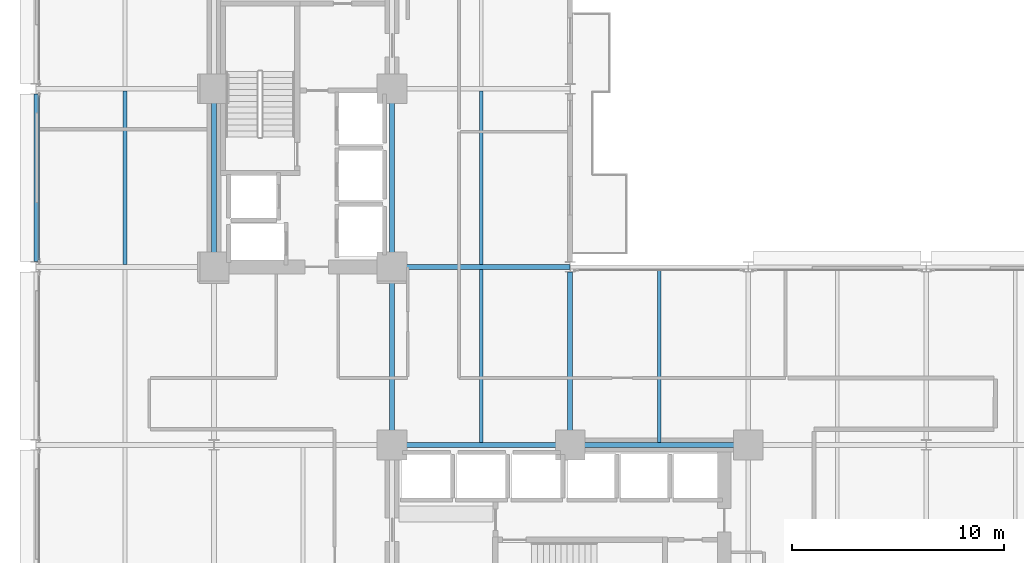
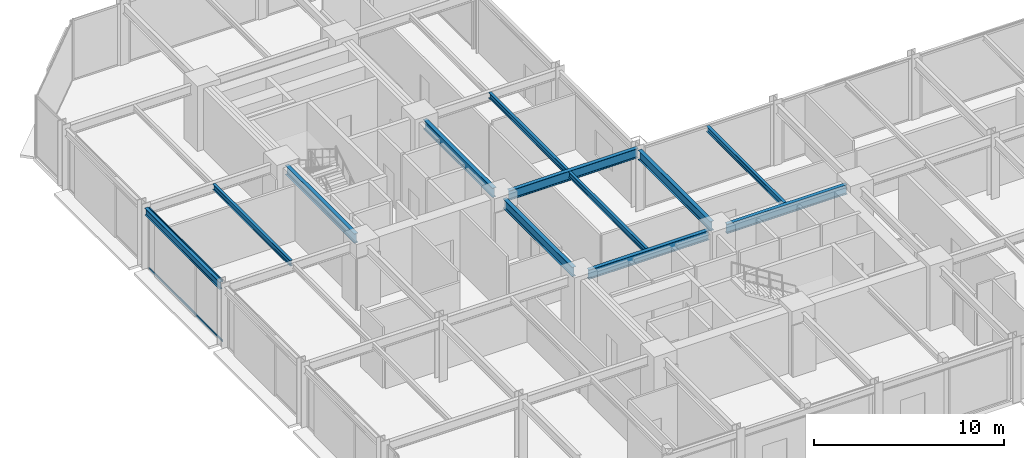
# One storey, part 7 of 25: 12 beams, 2 members, 1 element without a shape of its own.
"""IFC4 building model written with IfcOpenShell, lengths in metres."""

from ifc_helpers import new_model, si_unit, direction, frame, origin, origin_2d, place, context, subcontext, project, spatial, hollow_rectangle, i_section, extrude, material, layer, layer_set, material_profile, profile_set, type_object, element, aggregate, save


model = new_model("IFC4")

# Units and contexts
model_context = context("Model", 3, precision=1e-05, world=origin(), true_north=direction((0.0, 1.0)))
body_context = subcontext(model_context, "Body", "Model", "MODEL_VIEW")
ifc_project = project(units=[si_unit("LENGTHUNIT", "METRE"), si_unit("AREAUNIT", "SQUARE_METRE"), si_unit("VOLUMEUNIT", "CUBIC_METRE"), si_unit("PLANEANGLEUNIT", "RADIAN"), si_unit("MASSUNIT", "GRAM", prefix="KILO")], contexts=[model_context])

# Site, building, storey
site_placement = place(None, origin())
site = spatial("IfcSite", under=ifc_project, at=site_placement, CompositionType="ELEMENT")
building_placement = place(site_placement, origin())
building = spatial("IfcBuilding", under=site, at=building_placement, Name="Nerrivon Quay Data Exchange", CompositionType="ELEMENT")
storey_placement = place(building_placement, frame((0.0, 0.0, 24.800048828125)))
storey = spatial("IfcBuildingStorey", under=building, at=storey_placement, Name="L05", CompositionType="ELEMENT", Elevation=24.800048828125)

# Beams
ifc_material_1 = material(Name="Steel Grade 350", Category="steel")
ifc_material_profile_1 = material_profile(ifc_material_1, i_section(OverallWidth=0.22900390625, OverallDepth=0.612060546875, WebThickness=0.011962890625, FlangeThickness=0.01953125, FilletRadius=0.013916015625, at=origin_2d()), Name="610UB125")
ifc_profile_set_1 = profile_set([ifc_material_profile_1], Name="Steel Grade 350")
beam_type_1 = type_object("IfcBeamType", Name="BM-G1-610UB125", PredefinedType="BEAM", material=ifc_profile_set_1)
beam_1_placement = place(storey_placement, frame((17.340087890625, 16.800048828125, 3.618896484375), z_axis=(1.0, 0.0, 0.0), x_axis=(0.0, 1.0, 0.0)))
element("IfcBeam", 1, at=beam_1_placement, inside=storey, type_object=beam_type_1, Name="L05 EW Girder Y=16.8 (16.8..25.2)", PredefinedType="BEAM", context=body_context, shape_type="SweptSolid", body=[
    extrude(i_section(OverallWidth=0.22900390625, OverallDepth=0.612060546875, WebThickness=0.011962890625, FlangeThickness=0.01953125, FilletRadius=0.013916015625, at=origin_2d()), origin(), (0.0, 0.0, 1.0), 7.31982421875),
])
beam_2_placement = place(storey_placement, frame((25.739990234375, 16.800048828125, 3.618896484375), z_axis=(1.0, 0.0, 0.0), x_axis=(0.0, 1.0, 0.0)))
element("IfcBeam", 2, at=beam_2_placement, inside=storey, type_object=beam_type_1, Name="L05 EW Girder Y=16.8 (25.2..33.6)", PredefinedType="BEAM", context=body_context, shape_type="SweptSolid", body=[
    extrude(i_section(OverallWidth=0.22900390625, OverallDepth=0.612060546875, WebThickness=0.011962890625, FlangeThickness=0.01953125, FilletRadius=0.013916015625, at=origin_2d()), origin(), (0.0, 0.0, 1.0), 7.320068359375),
])
beam_3_placement = place(storey_placement, frame((17.340087890625, 25.199951171875, 3.618896484375), z_axis=(1.0, 0.0, 0.0), x_axis=(0.0, 1.0, 0.0)))
element("IfcBeam", 3, at=beam_3_placement, inside=storey, type_object=beam_type_1, Name="L05 EW Girder Y=25.2 (16.8..25.2)", PredefinedType="BEAM", context=body_context, shape_type="SweptSolid", body=[
    extrude(i_section(OverallWidth=0.22900390625, OverallDepth=0.612060546875, WebThickness=0.011962890625, FlangeThickness=0.01953125, FilletRadius=0.013916015625, at=origin_2d()), origin(), (0.0, 0.0, 1.0), 7.845947265625),
])
ifc_material_profile_2 = material_profile(ifc_material_1, i_section(OverallWidth=0.22802734375, OverallDepth=0.60205078125, WebThickness=0.010498046875, FlangeThickness=0.014892578125, FilletRadius=0.013916015625, at=origin_2d()), Name="610UB101")
ifc_profile_set_2 = profile_set([ifc_material_profile_2], Name="Steel Grade 350")
beam_type_2 = type_object("IfcBeamType", Name="BM-G2-610UB101", PredefinedType="BEAM", material=ifc_profile_set_2)
beam_4_placement = place(storey_placement, frame((8.39990234375, 25.739990234375, 3.6240234375), z_axis=(0.0, 1.0, 0.0), x_axis=(-1.0, 0.0, 0.0)))
element("IfcBeam", 4, at=beam_4_placement, inside=storey, type_object=beam_type_2, Name="L05 NS Girder X=8.4 (25.2..33.6)", PredefinedType="BEAM", context=body_context, shape_type="SweptSolid", body=[
    extrude(i_section(OverallWidth=0.22802734375, OverallDepth=0.60205078125, WebThickness=0.010498046875, FlangeThickness=0.014892578125, FilletRadius=0.013916015625, at=origin_2d()), origin(), (0.0, 0.0, 1.0), 7.320068359375),
])
beam_5_placement = place(storey_placement, frame((16.800048828125, 17.340087890625, 3.6240234375), z_axis=(0.0, 1.0, 0.0), x_axis=(-1.0, 0.0, 0.0)))
element("IfcBeam", 5, at=beam_5_placement, inside=storey, type_object=beam_type_2, Name="L05 NS Girder X=16.8 (16.8..25.2)", PredefinedType="BEAM", context=body_context, shape_type="SweptSolid", body=[
    extrude(i_section(OverallWidth=0.22802734375, OverallDepth=0.60205078125, WebThickness=0.010498046875, FlangeThickness=0.014892578125, FilletRadius=0.013916015625, at=origin_2d()), origin(), (0.0, 0.0, 1.0), 7.31982421875),
])
beam_6_placement = place(storey_placement, frame((16.800048828125, 25.739990234375, 3.6240234375), z_axis=(0.0, 1.0, 0.0), x_axis=(-1.0, 0.0, 0.0)))
element("IfcBeam", 6, at=beam_6_placement, inside=storey, type_object=beam_type_2, Name="L05 NS Girder X=16.8 (25.2..33.6)", PredefinedType="BEAM", context=body_context, shape_type="SweptSolid", body=[
    extrude(i_section(OverallWidth=0.22802734375, OverallDepth=0.60205078125, WebThickness=0.010498046875, FlangeThickness=0.014892578125, FilletRadius=0.013916015625, at=origin_2d()), origin(), (0.0, 0.0, 1.0), 7.320068359375),
])
beam_7_placement = place(storey_placement, frame((25.199951171875, 17.340087890625, 3.6240234375), z_axis=(0.0, 1.0, 0.0), x_axis=(-1.0, 0.0, 0.0)))
element("IfcBeam", 7, at=beam_7_placement, inside=storey, type_object=beam_type_2, Name="L05 NS Girder X=25.2 (16.8..25.2)", PredefinedType="BEAM", context=body_context, shape_type="SweptSolid", body=[
    extrude(i_section(OverallWidth=0.22802734375, OverallDepth=0.60205078125, WebThickness=0.010498046875, FlangeThickness=0.014892578125, FilletRadius=0.013916015625, at=origin_2d()), origin(), (0.0, 0.0, 1.0), 7.60986328125),
])
ifc_material_profile_3 = material_profile(ifc_material_1, i_section(OverallWidth=0.172119140625, OverallDepth=0.35888671875, WebThickness=0.008056640625, FlangeThickness=0.012939453125, FilletRadius=0.011474609375, at=origin_2d()), Name="360UB56.7")
ifc_profile_set_3 = profile_set([ifc_material_profile_3], Name="Steel Grade 350")
beam_type_3 = type_object("IfcBeamType", Name="BM-J3-360UB57", PredefinedType="JOIST", material=ifc_profile_set_3)
beam_8_placement = place(storey_placement, frame((4.199951171875, 25.314453125, 3.745361328125), z_axis=(0.0, 1.0, 0.0), x_axis=(-1.0, 0.0, 0.0)))
element("IfcBeam", 8, at=beam_8_placement, inside=storey, type_object=beam_type_3, Name="L05 Secondary Joist X=4.2 (25.2..33.6)", PredefinedType="JOIST", context=body_context, shape_type="SweptSolid", body=[
    extrude(i_section(OverallWidth=0.172119140625, OverallDepth=0.35888671875, WebThickness=0.008056640625, FlangeThickness=0.012939453125, FilletRadius=0.011474609375, at=origin_2d()), origin(), (0.0, 0.0, 1.0), 8.171142578125),
])
beam_9_placement = place(storey_placement, frame((21.0, 16.91455078125, 3.745361328125), z_axis=(0.0, 1.0, 0.0), x_axis=(-1.0, 0.0, 0.0)))
element("IfcBeam", 9, at=beam_9_placement, inside=storey, type_object=beam_type_3, Name="L05 Secondary Joist X=21.0 (16.8..25.2)", PredefinedType="JOIST", context=body_context, shape_type="SweptSolid", body=[
    extrude(i_section(OverallWidth=0.172119140625, OverallDepth=0.35888671875, WebThickness=0.008056640625, FlangeThickness=0.012939453125, FilletRadius=0.011474609375, at=origin_2d()), origin(), (0.0, 0.0, 1.0), 8.1708984375),
])
beam_10_placement = place(storey_placement, frame((21.0, 25.314453125, 3.745361328125), z_axis=(0.0, 1.0, 0.0), x_axis=(-1.0, 0.0, 0.0)))
element("IfcBeam", 10, at=beam_10_placement, inside=storey, type_object=beam_type_3, Name="L05 Secondary Joist X=21.0 (25.2..33.6)", PredefinedType="JOIST", context=body_context, shape_type="SweptSolid", body=[
    extrude(i_section(OverallWidth=0.172119140625, OverallDepth=0.35888671875, WebThickness=0.008056640625, FlangeThickness=0.012939453125, FilletRadius=0.011474609375, at=origin_2d()), origin(), (0.0, 0.0, 1.0), 8.171142578125),
])
beam_11_placement = place(storey_placement, frame((29.39990234375, 16.91455078125, 3.745361328125), z_axis=(0.0, 1.0, 0.0), x_axis=(-1.0, 0.0, 0.0)))
element("IfcBeam", 11, at=beam_11_placement, inside=storey, type_object=beam_type_3, Name="L05 Secondary Joist X=29.4 (16.8..25.2)", PredefinedType="JOIST", context=body_context, shape_type="SweptSolid", body=[
    extrude(i_section(OverallWidth=0.172119140625, OverallDepth=0.35888671875, WebThickness=0.008056640625, FlangeThickness=0.012939453125, FilletRadius=0.011474609375, at=origin_2d()), origin(), (0.0, 0.0, 1.0), 8.1904296875),
])
ifc_material_profile_4 = material_profile(ifc_material_1, i_section(OverallWidth=0.18994140625, OverallDepth=0.4541015625, WebThickness=0.008544921875, FlangeThickness=0.0126953125, FilletRadius=0.011474609375, at=origin_2d()), Name="460UB67.1")
ifc_profile_set_4 = profile_set([ifc_material_profile_4], Name="Steel Grade 350")
beam_type_4 = type_object("IfcBeamType", Name="BM-SP1-460UB67", PredefinedType="SPANDREL", material=ifc_profile_set_4)
beam_12_placement = place(storey_placement, frame((0.0, 25.449951171875, 3.697998046875), z_axis=(0.0, 1.0, 0.0), x_axis=(-1.0, 0.0, 0.0)))
element("IfcBeam", 12, at=beam_12_placement, inside=storey, type_object=beam_type_4, Name="L05 NS Girder X=0.0 (25.2..33.6)", PredefinedType="SPANDREL", context=body_context, shape_type="SweptSolid", body=[
    extrude(i_section(OverallWidth=0.18994140625, OverallDepth=0.4541015625, WebThickness=0.008544921875, FlangeThickness=0.0126953125, FilletRadius=0.011474609375, at=origin_2d()), origin(), (0.0, 0.0, 1.0), 7.900146484375),
])

# Curtain wall, members
ifc_material_2 = material(Name="Anodised aluminium 6063-T6", Category="aluminium")
ifc_layer = layer(ifc_material_2, 0.219970703125)
ifc_layer_set = layer_set([ifc_layer], Name="Anodised aluminium 6063-T6")
curtain_wall_type = type_object("IfcCurtainWallType", Name="CW-SYS-01", PredefinedType="NOTDEFINED", material=ifc_layer_set)
curtain_wall_placement = place(storey_placement, origin())
curtain_wall = element("IfcCurtainWall", 13, at=curtain_wall_placement, inside=storey, type_object=curtain_wall_type, Name="L05 Unitised Curtain Wall 16", PredefinedType="NOTDEFINED")
ifc_material_profile_5 = material_profile(ifc_material_2, hollow_rectangle(XDim=0.06005859375, YDim=0.1201171875, WallThickness=0.003173828125, at=origin_2d()), Name="ALU-TRAN-120x60")
ifc_profile_set_5 = profile_set([ifc_material_profile_5], Name="Anodised aluminium 6063-T6")
member_type = type_object("IfcMemberType", Name="CWT-120x60", PredefinedType="USERDEFINED", material=ifc_profile_set_5)
member_1_placement = place(storey_placement, frame((0.139892578125, 25.52490234375, 0.032470703125), z_axis=(0.0, 1.0, 0.0), x_axis=(-1.0, 0.0, 0.0)))
member_1 = element("IfcMember", 14, at=member_1_placement, type_object=member_type, Name="CW01 transom 1.1", ObjectType="TRANSOM", PredefinedType="USERDEFINED", context=body_context, shape_type="SweptSolid", body=[
    extrude(hollow_rectangle(XDim=0.06005859375, YDim=0.1201171875, WallThickness=0.003173828125, at=origin_2d()), origin(), (0.0, 0.0, 1.0), 7.75),
])
member_2_placement = place(storey_placement, frame((0.139892578125, 25.52490234375, 3.892333984375), z_axis=(0.0, 1.0, 0.0), x_axis=(-1.0, 0.0, 0.0)))
member_2 = element("IfcMember", 15, at=member_2_placement, type_object=member_type, Name="CW01 transom 1.2", ObjectType="TRANSOM", PredefinedType="USERDEFINED", context=body_context, shape_type="SweptSolid", body=[
    extrude(hollow_rectangle(XDim=0.06005859375, YDim=0.1201171875, WallThickness=0.003173828125, at=origin_2d()), origin(), (0.0, 0.0, 1.0), 7.75),
])
aggregate(curtain_wall, [member_1, member_2])

save(model, "model.ifc")
